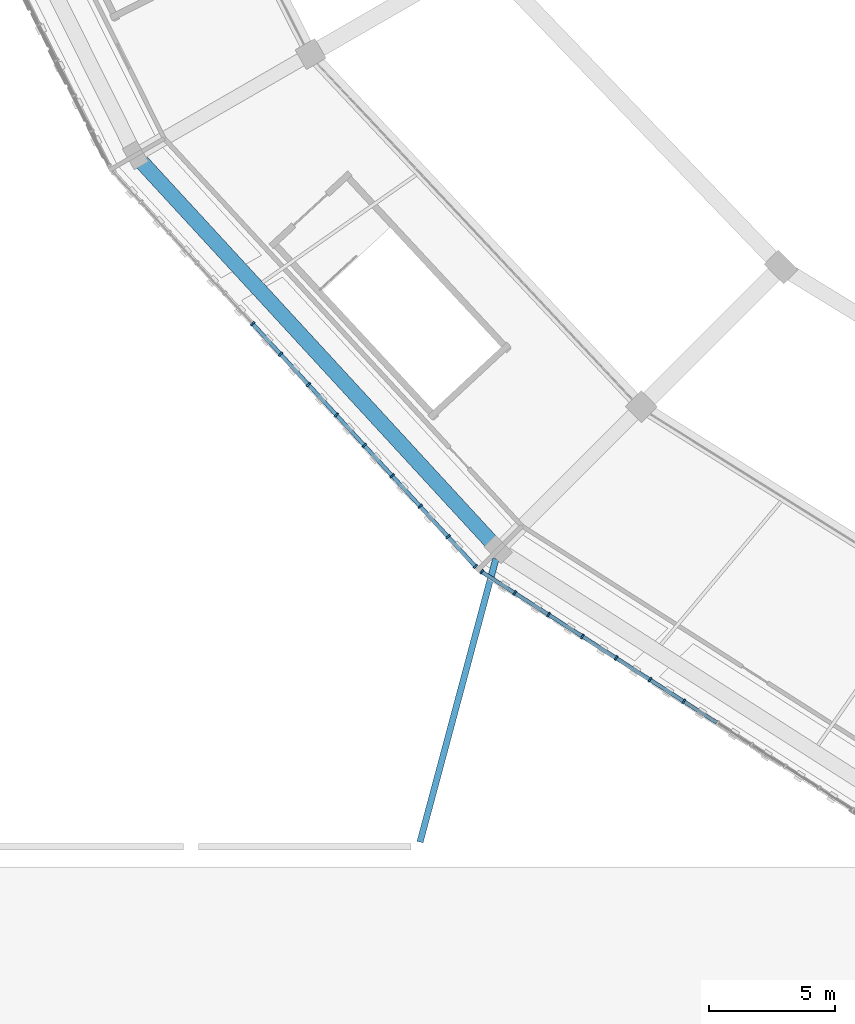
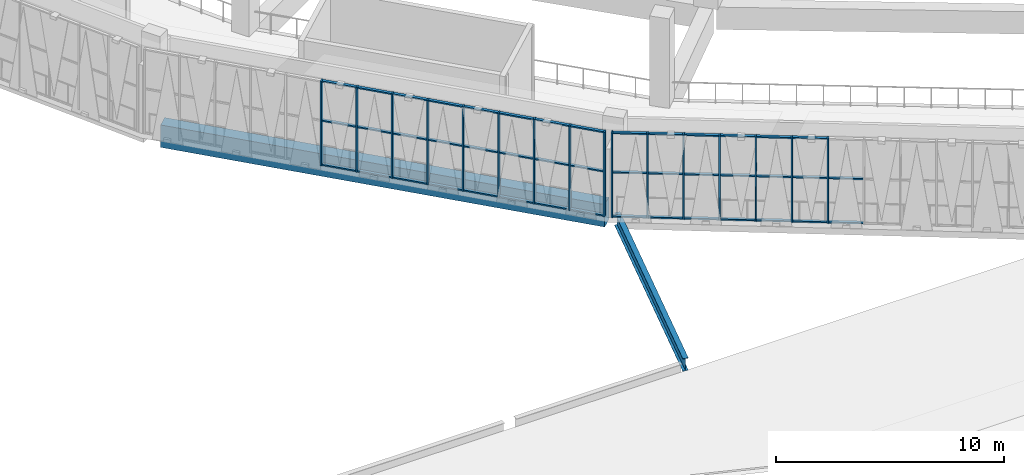
# One storey, part 4 of 108: 60 members, 2 beams, 2 elements without a shape of their own.
"""IFC4 building model written with IfcOpenShell, lengths in metres."""

from ifc_helpers import new_model, si_unit, direction, frame, origin, origin_2d, place, context, subcontext, project, spatial, rectangle, i_section, extrude, material, material_profile, profile_set, type_object, element, aggregate, save


model = new_model("IFC4")

# Units and contexts
model_context = context("Model", 3, precision=1e-05, world=origin(), true_north=direction((0.0, 1.0)))
body_context = subcontext(model_context, "Body", "Model", "MODEL_VIEW")
ifc_project = project(units=[si_unit("LENGTHUNIT", "METRE"), si_unit("AREAUNIT", "SQUARE_METRE"), si_unit("VOLUMEUNIT", "CUBIC_METRE"), si_unit("PLANEANGLEUNIT", "RADIAN"), si_unit("MASSUNIT", "GRAM", prefix="KILO")], contexts=[model_context])

# Site, building, storey
site_placement = place(None, origin())
site = spatial("IfcSite", under=ifc_project, at=site_placement, CompositionType="ELEMENT")
building_placement = place(site_placement, origin())
building = spatial("IfcBuilding", under=site, at=building_placement, Name="Zevraka Park Crest Stadium", CompositionType="ELEMENT")
storey_placement = place(building_placement, frame((0.0, 0.0, 19.800048828125)))
storey = spatial("IfcBuildingStorey", under=building, at=storey_placement, Name="L04", CompositionType="ELEMENT", Elevation=19.800048828125)

# Beam
ifc_material_1 = material(Name="Steel S355", Category="steel")
ifc_material_profile_1 = material_profile(ifc_material_1, i_section(OverallWidth=0.253662109375, OverallDepth=0.68359375, WebThickness=0.012451171875, FlangeThickness=0.01904296875, at=origin_2d()), Name="UKB 686x254x140")
ifc_profile_set_1 = profile_set([ifc_material_profile_1], Name="Steel S355")
beam_type_1 = type_object("IfcBeamType", Name="BG05", PredefinedType="BEAM", material=ifc_profile_set_1)
beam_1_placement = place(storey_placement, frame((45.052001953125, 27.193115234375, -0.60986328125), z_axis=(0.25869045552, 0.96596027259, 0.0), x_axis=(-0.96596027259, 0.25869045552, 0.0)))
element("IfcBeam", 1, at=beam_1_placement, inside=storey, type_object=beam_type_1, Name="Wing Link Girder BG05 L04-6/D", PredefinedType="BEAM", context=body_context, shape_type="SweptSolid", body=[
    extrude(i_section(OverallWidth=0.253662109375, OverallDepth=0.68359375, WebThickness=0.012451171875, FlangeThickness=0.01904296875, at=origin_2d()), origin(), (0.0, 0.0, 1.0), 11.58935546875),
])

# Curtain wall, members
ifc_material_2 = material(Name="Anodised architectural aluminium and laminated safety glass", Category="aluminium")
curtain_wall_type = type_object("IfcCurtainWallType", Name="CW18", PredefinedType="NOTDEFINED", material=ifc_material_2)
curtain_wall_1_placement = place(storey_placement, origin())
curtain_wall_1 = element("IfcCurtainWall", 2, at=curtain_wall_1_placement, inside=storey, type_object=curtain_wall_type, Name="Unitised Ring Curtain Wall CW18 L04-14", PredefinedType="NOTDEFINED")
ifc_material_3 = material(Name="Anodised architectural aluminium", Category="aluminium")
ifc_material_profile_2 = material_profile(ifc_material_3, rectangle(XDim=0.199951171875, YDim=0.070068359375, at=origin_2d()), Name="ALU MULLION 200x70")
ifc_profile_set_2 = profile_set([ifc_material_profile_2], Name="Anodised architectural aluminium")
member_type_1 = type_object("IfcMemberType", Name="CM03", PredefinedType="MULLION", material=ifc_profile_set_2)
member_1_placement = place(storey_placement, frame((38.4326171875, 47.686279296875, 0.0), z_axis=(0.0, 0.0, 1.0), x_axis=(0.736774619932, 0.676138417355, 0.0)))
member_1 = element("IfcMember", 3, at=member_1_placement, type_object=member_type_1, Name="CW18 mullion 6", PredefinedType="MULLION", context=body_context, shape_type="SweptSolid", body=[
    extrude(rectangle(XDim=0.199951171875, YDim=0.070068359375, at=origin_2d()), origin(), (0.0, 0.0, 1.0), 4.5400390625),
])
member_2_placement = place(storey_placement, frame((39.53662109375, 46.4833984375, 0.0), z_axis=(0.0, 0.0, 1.0), x_axis=(0.736774619932, 0.676138417355, 0.0)))
member_2 = element("IfcMember", 4, at=member_2_placement, type_object=member_type_1, Name="CW18 mullion 7", PredefinedType="MULLION", context=body_context, shape_type="SweptSolid", body=[
    extrude(rectangle(XDim=0.199951171875, YDim=0.070068359375, at=origin_2d()), origin(), (0.0, 0.0, 1.0), 4.5400390625),
])
member_3_placement = place(storey_placement, frame((40.640380859375, 45.280517578125, 0.0), z_axis=(0.0, 0.0, 1.0), x_axis=(0.736774619932, 0.676138417355, 0.0)))
member_3 = element("IfcMember", 5, at=member_3_placement, type_object=member_type_1, Name="CW18 mullion 8", PredefinedType="MULLION", context=body_context, shape_type="SweptSolid", body=[
    extrude(rectangle(XDim=0.199951171875, YDim=0.070068359375, at=origin_2d()), origin(), (0.0, 0.0, 1.0), 4.5400390625),
])
member_4_placement = place(storey_placement, frame((41.744384765625, 44.07763671875, 0.0), z_axis=(0.0, 0.0, 1.0), x_axis=(0.736774619932, 0.676138417355, 0.0)))
member_4 = element("IfcMember", 6, at=member_4_placement, type_object=member_type_1, Name="CW18 mullion 9", PredefinedType="MULLION", context=body_context, shape_type="SweptSolid", body=[
    extrude(rectangle(XDim=0.199951171875, YDim=0.070068359375, at=origin_2d()), origin(), (0.0, 0.0, 1.0), 4.5400390625),
])
member_5_placement = place(storey_placement, frame((42.848388671875, 42.874755859375, 0.0), z_axis=(0.0, 0.0, 1.0), x_axis=(0.736774619932, 0.676138417355, 0.0)))
member_5 = element("IfcMember", 7, at=member_5_placement, type_object=member_type_1, Name="CW18 mullion 10", PredefinedType="MULLION", context=body_context, shape_type="SweptSolid", body=[
    extrude(rectangle(XDim=0.199951171875, YDim=0.070068359375, at=origin_2d()), origin(), (0.0, 0.0, 1.0), 4.5400390625),
])
member_6_placement = place(storey_placement, frame((43.9521484375, 41.671875, 0.0), z_axis=(0.0, 0.0, 1.0), x_axis=(0.736774619932, 0.676138417355, 0.0)))
member_6 = element("IfcMember", 8, at=member_6_placement, type_object=member_type_1, Name="CW18 mullion 11", PredefinedType="MULLION", context=body_context, shape_type="SweptSolid", body=[
    extrude(rectangle(XDim=0.199951171875, YDim=0.070068359375, at=origin_2d()), origin(), (0.0, 0.0, 1.0), 4.5400390625),
])
member_7_placement = place(storey_placement, frame((45.05615234375, 40.46875, 0.0), z_axis=(0.0, 0.0, 1.0), x_axis=(0.736774619932, 0.676138417355, 0.0)))
member_7 = element("IfcMember", 9, at=member_7_placement, type_object=member_type_1, Name="CW18 mullion 12", PredefinedType="MULLION", context=body_context, shape_type="SweptSolid", body=[
    extrude(rectangle(XDim=0.199951171875, YDim=0.070068359375, at=origin_2d()), origin(), (0.0, 0.0, 1.0), 4.5400390625),
])
member_8_placement = place(storey_placement, frame((46.16015625, 39.265869140625, 0.0), z_axis=(0.0, 0.0, 1.0), x_axis=(0.736774619932, 0.676138417355, 0.0)))
member_8 = element("IfcMember", 10, at=member_8_placement, type_object=member_type_1, Name="CW18 mullion 13", PredefinedType="MULLION", context=body_context, shape_type="SweptSolid", body=[
    extrude(rectangle(XDim=0.199951171875, YDim=0.070068359375, at=origin_2d()), origin(), (0.0, 0.0, 1.0), 4.5400390625),
])
member_9_placement = place(storey_placement, frame((47.240234375, 38.0888671875, 0.0), z_axis=(0.0, 0.0, 1.0), x_axis=(0.736774619932, 0.676138417355, 0.0)))
member_9 = element("IfcMember", 11, at=member_9_placement, type_object=member_type_1, Name="CW18 mullion 14", PredefinedType="MULLION", context=body_context, shape_type="SweptSolid", body=[
    extrude(rectangle(XDim=0.199951171875, YDim=0.070068359375, at=origin_2d()), origin(), (0.0, 0.0, 1.0), 4.5400390625),
])

curtain_wall_2_placement = place(storey_placement, origin())
curtain_wall_2 = element("IfcCurtainWall", 12, at=curtain_wall_2_placement, inside=storey, type_object=curtain_wall_type, Name="Unitised Ring Curtain Wall CW18 L04-15", PredefinedType="NOTDEFINED")
member_10_placement = place(storey_placement, frame((47.490478515625, 37.879150390625, 0.0), z_axis=(0.0, 0.0, 1.0), x_axis=(0.539979944029, 0.841677883781, 0.0)))
member_10 = element("IfcMember", 13, at=member_10_placement, type_object=member_type_1, Name="CW18 mullion 1", PredefinedType="MULLION", context=body_context, shape_type="SweptSolid", body=[
    extrude(rectangle(XDim=0.199951171875, YDim=0.070068359375, at=origin_2d()), origin(), (0.0, 0.0, 1.0), 4.5400390625),
])
member_11_placement = place(storey_placement, frame((48.797607421875, 37.04052734375, 0.0), z_axis=(0.0, 0.0, 1.0), x_axis=(0.539979944029, 0.841677883781, 0.0)))
member_11 = element("IfcMember", 14, at=member_11_placement, type_object=member_type_1, Name="CW18 mullion 2", PredefinedType="MULLION", context=body_context, shape_type="SweptSolid", body=[
    extrude(rectangle(XDim=0.199951171875, YDim=0.070068359375, at=origin_2d()), origin(), (0.0, 0.0, 1.0), 4.5400390625),
])
member_12_placement = place(storey_placement, frame((50.134521484375, 36.182861328125, 0.0), z_axis=(0.0, 0.0, 1.0), x_axis=(0.539979944029, 0.841677883781, 0.0)))
member_12 = element("IfcMember", 15, at=member_12_placement, type_object=member_type_1, Name="CW18 mullion 3", PredefinedType="MULLION", context=body_context, shape_type="SweptSolid", body=[
    extrude(rectangle(XDim=0.199951171875, YDim=0.070068359375, at=origin_2d()), origin(), (0.0, 0.0, 1.0), 4.5400390625),
])
member_13_placement = place(storey_placement, frame((51.47119140625, 35.3251953125, 0.0), z_axis=(0.0, 0.0, 1.0), x_axis=(0.539979944029, 0.841677883781, 0.0)))
member_13 = element("IfcMember", 16, at=member_13_placement, type_object=member_type_1, Name="CW18 mullion 4", PredefinedType="MULLION", context=body_context, shape_type="SweptSolid", body=[
    extrude(rectangle(XDim=0.199951171875, YDim=0.070068359375, at=origin_2d()), origin(), (0.0, 0.0, 1.0), 4.5400390625),
])
member_14_placement = place(storey_placement, frame((52.807861328125, 34.4677734375, 0.0), z_axis=(0.0, 0.0, 1.0), x_axis=(0.539979944029, 0.841677883781, 0.0)))
member_14 = element("IfcMember", 17, at=member_14_placement, type_object=member_type_1, Name="CW18 mullion 5", PredefinedType="MULLION", context=body_context, shape_type="SweptSolid", body=[
    extrude(rectangle(XDim=0.199951171875, YDim=0.070068359375, at=origin_2d()), origin(), (0.0, 0.0, 1.0), 4.5400390625),
])
member_15_placement = place(storey_placement, frame((54.14453125, 33.610107421875, 0.0), z_axis=(0.0, 0.0, 1.0), x_axis=(0.539979944029, 0.841677883781, 0.0)))
member_15 = element("IfcMember", 18, at=member_15_placement, type_object=member_type_1, Name="CW18 mullion 6", PredefinedType="MULLION", context=body_context, shape_type="SweptSolid", body=[
    extrude(rectangle(XDim=0.199951171875, YDim=0.070068359375, at=origin_2d()), origin(), (0.0, 0.0, 1.0), 4.5400390625),
])
member_16_placement = place(storey_placement, frame((55.481201171875, 32.752685546875, 0.0), z_axis=(0.0, 0.0, 1.0), x_axis=(0.539979944029, 0.841677883781, 0.0)))
member_16 = element("IfcMember", 19, at=member_16_placement, type_object=member_type_1, Name="CW18 mullion 7", PredefinedType="MULLION", context=body_context, shape_type="SweptSolid", body=[
    extrude(rectangle(XDim=0.199951171875, YDim=0.070068359375, at=origin_2d()), origin(), (0.0, 0.0, 1.0), 4.5400390625),
])

# Member
ifc_material_4 = material(Name="Anodised architectural aluminium", Category="aluminium")
ifc_material_profile_3 = material_profile(ifc_material_4, rectangle(XDim=0.14990234375, YDim=0.070068359375, at=origin_2d()), Name="ALU TRANSOM 150x70")
ifc_profile_set_3 = profile_set([ifc_material_profile_3], Name="Anodised architectural aluminium")
member_type_2 = type_object("IfcMemberType", Name="CT03", PredefinedType="USERDEFINED", material=ifc_profile_set_3)
member_17_placement = place(storey_placement, frame((38.456298828125, 47.66064453125, 0.034912109375), z_axis=(0.67614898138, -0.736764925182, 0.0), x_axis=(0.736764925182, 0.67614898138, 0.0)))
member_17 = element("IfcMember", 20, at=member_17_placement, type_object=member_type_2, Name="CW18 transom 6.1", ObjectType="TRANSOM", PredefinedType="USERDEFINED", context=body_context, shape_type="SweptSolid", body=[
    extrude(rectangle(XDim=0.14990234375, YDim=0.070068359375, at=origin_2d()), origin(), (0.0, 0.0, 1.0), 1.562744140625),
])

member_18_placement = place(storey_placement, frame((38.456298828125, 47.66064453125, 2.39990234375), z_axis=(0.67614898138, -0.736764925182, 0.0), x_axis=(0.736764925182, 0.67614898138, 0.0)))
member_18 = element("IfcMember", 21, at=member_18_placement, type_object=member_type_2, Name="CW18 transom 6.2", ObjectType="TRANSOM", PredefinedType="USERDEFINED", context=body_context, shape_type="SweptSolid", body=[
    extrude(rectangle(XDim=0.14990234375, YDim=0.070068359375, at=origin_2d()), origin(), (0.0, 0.0, 1.0), 1.562744140625),
])

member_19_placement = place(storey_placement, frame((38.456298828125, 47.66064453125, 4.5048828125), z_axis=(0.67614898138, -0.736764925182, 0.0), x_axis=(0.736764925182, 0.67614898138, 0.0)))
member_19 = element("IfcMember", 22, at=member_19_placement, type_object=member_type_2, Name="CW18 transom 6.3", ObjectType="TRANSOM", PredefinedType="USERDEFINED", context=body_context, shape_type="SweptSolid", body=[
    extrude(rectangle(XDim=0.14990234375, YDim=0.070068359375, at=origin_2d()), origin(), (0.0, 0.0, 1.0), 1.562744140625),
])

member_20_placement = place(storey_placement, frame((39.560302734375, 46.457763671875, 0.034912109375), z_axis=(0.676064164587, -0.73684275484, 0.0), x_axis=(0.73684275484, 0.676064164587, 0.0)))
member_20 = element("IfcMember", 23, at=member_20_placement, type_object=member_type_2, Name="CW18 transom 7.1", ObjectType="TRANSOM", PredefinedType="USERDEFINED", context=body_context, shape_type="SweptSolid", body=[
    extrude(rectangle(XDim=0.14990234375, YDim=0.070068359375, at=origin_2d()), origin(), (0.0, 0.0, 1.0), 1.5625),
])

member_21_placement = place(storey_placement, frame((39.560302734375, 46.457763671875, 2.39990234375), z_axis=(0.676064164587, -0.73684275484, 0.0), x_axis=(0.73684275484, 0.676064164587, 0.0)))
member_21 = element("IfcMember", 24, at=member_21_placement, type_object=member_type_2, Name="CW18 transom 7.2", ObjectType="TRANSOM", PredefinedType="USERDEFINED", context=body_context, shape_type="SweptSolid", body=[
    extrude(rectangle(XDim=0.14990234375, YDim=0.070068359375, at=origin_2d()), origin(), (0.0, 0.0, 1.0), 1.5625),
])

member_22_placement = place(storey_placement, frame((39.560302734375, 46.457763671875, 4.5048828125), z_axis=(0.676064164587, -0.73684275484, 0.0), x_axis=(0.73684275484, 0.676064164587, 0.0)))
member_22 = element("IfcMember", 25, at=member_22_placement, type_object=member_type_2, Name="CW18 transom 7.3", ObjectType="TRANSOM", PredefinedType="USERDEFINED", context=body_context, shape_type="SweptSolid", body=[
    extrude(rectangle(XDim=0.14990234375, YDim=0.070068359375, at=origin_2d()), origin(), (0.0, 0.0, 1.0), 1.5625),
])

member_23_placement = place(storey_placement, frame((40.6640625, 45.254638671875, 0.034912109375), z_axis=(0.676226812884, -0.736693489544, 0.0), x_axis=(0.736693489544, 0.676226812884, 0.0)))
member_23 = element("IfcMember", 26, at=member_23_placement, type_object=member_type_2, Name="CW18 transom 8.1", ObjectType="TRANSOM", PredefinedType="USERDEFINED", context=body_context, shape_type="SweptSolid", body=[
    extrude(rectangle(XDim=0.14990234375, YDim=0.070068359375, at=origin_2d()), origin(), (0.0, 0.0, 1.0), 1.5625),
])

member_24_placement = place(storey_placement, frame((40.6640625, 45.254638671875, 2.39990234375), z_axis=(0.676226812884, -0.736693489544, 0.0), x_axis=(0.736693489544, 0.676226812884, 0.0)))
member_24 = element("IfcMember", 27, at=member_24_placement, type_object=member_type_2, Name="CW18 transom 8.2", ObjectType="TRANSOM", PredefinedType="USERDEFINED", context=body_context, shape_type="SweptSolid", body=[
    extrude(rectangle(XDim=0.14990234375, YDim=0.070068359375, at=origin_2d()), origin(), (0.0, 0.0, 1.0), 1.5625),
])

member_25_placement = place(storey_placement, frame((40.6640625, 45.254638671875, 4.5048828125), z_axis=(0.676226812884, -0.736693489544, 0.0), x_axis=(0.736693489544, 0.676226812884, 0.0)))
member_25 = element("IfcMember", 28, at=member_25_placement, type_object=member_type_2, Name="CW18 transom 8.3", ObjectType="TRANSOM", PredefinedType="USERDEFINED", context=body_context, shape_type="SweptSolid", body=[
    extrude(rectangle(XDim=0.14990234375, YDim=0.070068359375, at=origin_2d()), origin(), (0.0, 0.0, 1.0), 1.5625),
])

member_26_placement = place(storey_placement, frame((41.76806640625, 44.0517578125, 0.034912109375), z_axis=(0.67614898138, -0.736764925182, 0.0), x_axis=(0.736764925182, 0.67614898138, 0.0)))
member_26 = element("IfcMember", 29, at=member_26_placement, type_object=member_type_2, Name="CW18 transom 9.1", ObjectType="TRANSOM", PredefinedType="USERDEFINED", context=body_context, shape_type="SweptSolid", body=[
    extrude(rectangle(XDim=0.14990234375, YDim=0.070068359375, at=origin_2d()), origin(), (0.0, 0.0, 1.0), 1.562744140625),
])

member_27_placement = place(storey_placement, frame((41.76806640625, 44.0517578125, 2.39990234375), z_axis=(0.67614898138, -0.736764925182, 0.0), x_axis=(0.736764925182, 0.67614898138, 0.0)))
member_27 = element("IfcMember", 30, at=member_27_placement, type_object=member_type_2, Name="CW18 transom 9.2", ObjectType="TRANSOM", PredefinedType="USERDEFINED", context=body_context, shape_type="SweptSolid", body=[
    extrude(rectangle(XDim=0.14990234375, YDim=0.070068359375, at=origin_2d()), origin(), (0.0, 0.0, 1.0), 1.562744140625),
])

member_28_placement = place(storey_placement, frame((41.76806640625, 44.0517578125, 4.5048828125), z_axis=(0.67614898138, -0.736764925182, 0.0), x_axis=(0.736764925182, 0.67614898138, 0.0)))
member_28 = element("IfcMember", 31, at=member_28_placement, type_object=member_type_2, Name="CW18 transom 9.3", ObjectType="TRANSOM", PredefinedType="USERDEFINED", context=body_context, shape_type="SweptSolid", body=[
    extrude(rectangle(XDim=0.14990234375, YDim=0.070068359375, at=origin_2d()), origin(), (0.0, 0.0, 1.0), 1.562744140625),
])

member_29_placement = place(storey_placement, frame((42.8720703125, 42.848876953125, 0.034912109375), z_axis=(0.676064164587, -0.73684275484, 0.0), x_axis=(0.73684275484, 0.676064164587, 0.0)))
member_29 = element("IfcMember", 32, at=member_29_placement, type_object=member_type_2, Name="CW18 transom 10.1", ObjectType="TRANSOM", PredefinedType="USERDEFINED", context=body_context, shape_type="SweptSolid", body=[
    extrude(rectangle(XDim=0.14990234375, YDim=0.070068359375, at=origin_2d()), origin(), (0.0, 0.0, 1.0), 1.5625),
])

member_30_placement = place(storey_placement, frame((42.8720703125, 42.848876953125, 2.39990234375), z_axis=(0.676064164587, -0.73684275484, 0.0), x_axis=(0.73684275484, 0.676064164587, 0.0)))
member_30 = element("IfcMember", 33, at=member_30_placement, type_object=member_type_2, Name="CW18 transom 10.2", ObjectType="TRANSOM", PredefinedType="USERDEFINED", context=body_context, shape_type="SweptSolid", body=[
    extrude(rectangle(XDim=0.14990234375, YDim=0.070068359375, at=origin_2d()), origin(), (0.0, 0.0, 1.0), 1.5625),
])

member_31_placement = place(storey_placement, frame((42.8720703125, 42.848876953125, 4.5048828125), z_axis=(0.676064164587, -0.73684275484, 0.0), x_axis=(0.73684275484, 0.676064164587, 0.0)))
member_31 = element("IfcMember", 34, at=member_31_placement, type_object=member_type_2, Name="CW18 transom 10.3", ObjectType="TRANSOM", PredefinedType="USERDEFINED", context=body_context, shape_type="SweptSolid", body=[
    extrude(rectangle(XDim=0.14990234375, YDim=0.070068359375, at=origin_2d()), origin(), (0.0, 0.0, 1.0), 1.5625),
])

member_32_placement = place(storey_placement, frame((43.975830078125, 41.64599609375, 0.034912109375), z_axis=(0.67614898138, -0.736764925182, 0.0), x_axis=(0.736764925182, 0.67614898138, 0.0)))
member_32 = element("IfcMember", 35, at=member_32_placement, type_object=member_type_2, Name="CW18 transom 11.1", ObjectType="TRANSOM", PredefinedType="USERDEFINED", context=body_context, shape_type="SweptSolid", body=[
    extrude(rectangle(XDim=0.14990234375, YDim=0.070068359375, at=origin_2d()), origin(), (0.0, 0.0, 1.0), 1.562744140625),
])

member_33_placement = place(storey_placement, frame((43.975830078125, 41.64599609375, 2.39990234375), z_axis=(0.67614898138, -0.736764925182, 0.0), x_axis=(0.736764925182, 0.67614898138, 0.0)))
member_33 = element("IfcMember", 36, at=member_33_placement, type_object=member_type_2, Name="CW18 transom 11.2", ObjectType="TRANSOM", PredefinedType="USERDEFINED", context=body_context, shape_type="SweptSolid", body=[
    extrude(rectangle(XDim=0.14990234375, YDim=0.070068359375, at=origin_2d()), origin(), (0.0, 0.0, 1.0), 1.562744140625),
])

member_34_placement = place(storey_placement, frame((43.975830078125, 41.64599609375, 4.5048828125), z_axis=(0.67614898138, -0.736764925182, 0.0), x_axis=(0.736764925182, 0.67614898138, 0.0)))
member_34 = element("IfcMember", 37, at=member_34_placement, type_object=member_type_2, Name="CW18 transom 11.3", ObjectType="TRANSOM", PredefinedType="USERDEFINED", context=body_context, shape_type="SweptSolid", body=[
    extrude(rectangle(XDim=0.14990234375, YDim=0.070068359375, at=origin_2d()), origin(), (0.0, 0.0, 1.0), 1.562744140625),
])

member_35_placement = place(storey_placement, frame((45.079833984375, 40.443115234375, 0.034912109375), z_axis=(0.67614898138, -0.736764925182, 0.0), x_axis=(0.736764925182, 0.67614898138, 0.0)))
member_35 = element("IfcMember", 38, at=member_35_placement, type_object=member_type_2, Name="CW18 transom 12.1", ObjectType="TRANSOM", PredefinedType="USERDEFINED", context=body_context, shape_type="SweptSolid", body=[
    extrude(rectangle(XDim=0.14990234375, YDim=0.070068359375, at=origin_2d()), origin(), (0.0, 0.0, 1.0), 1.562744140625),
])

member_36_placement = place(storey_placement, frame((45.079833984375, 40.443115234375, 2.39990234375), z_axis=(0.67614898138, -0.736764925182, 0.0), x_axis=(0.736764925182, 0.67614898138, 0.0)))
member_36 = element("IfcMember", 39, at=member_36_placement, type_object=member_type_2, Name="CW18 transom 12.2", ObjectType="TRANSOM", PredefinedType="USERDEFINED", context=body_context, shape_type="SweptSolid", body=[
    extrude(rectangle(XDim=0.14990234375, YDim=0.070068359375, at=origin_2d()), origin(), (0.0, 0.0, 1.0), 1.562744140625),
])

member_37_placement = place(storey_placement, frame((45.079833984375, 40.443115234375, 4.5048828125), z_axis=(0.67614898138, -0.736764925182, 0.0), x_axis=(0.736764925182, 0.67614898138, 0.0)))
member_37 = element("IfcMember", 40, at=member_37_placement, type_object=member_type_2, Name="CW18 transom 12.3", ObjectType="TRANSOM", PredefinedType="USERDEFINED", context=body_context, shape_type="SweptSolid", body=[
    extrude(rectangle(XDim=0.14990234375, YDim=0.070068359375, at=origin_2d()), origin(), (0.0, 0.0, 1.0), 1.562744140625),
])

member_38_placement = place(storey_placement, frame((46.183837890625, 39.240234375, 0.034912109375), z_axis=(0.67600681387, -0.736895370864, 0.0), x_axis=(0.736895370864, 0.67600681387, 0.0)))
member_38 = element("IfcMember", 41, at=member_38_placement, type_object=member_type_2, Name="CW18 transom 13.1", ObjectType="TRANSOM", PredefinedType="USERDEFINED", context=body_context, shape_type="SweptSolid", body=[
    extrude(rectangle(XDim=0.14990234375, YDim=0.070068359375, at=origin_2d()), origin(), (0.0, 0.0, 1.0), 1.527587890625),
])

member_39_placement = place(storey_placement, frame((46.183837890625, 39.240234375, 2.39990234375), z_axis=(0.67600681387, -0.736895370864, 0.0), x_axis=(0.736895370864, 0.67600681387, 0.0)))
member_39 = element("IfcMember", 42, at=member_39_placement, type_object=member_type_2, Name="CW18 transom 13.2", ObjectType="TRANSOM", PredefinedType="USERDEFINED", context=body_context, shape_type="SweptSolid", body=[
    extrude(rectangle(XDim=0.14990234375, YDim=0.070068359375, at=origin_2d()), origin(), (0.0, 0.0, 1.0), 1.527587890625),
])

member_40_placement = place(storey_placement, frame((46.183837890625, 39.240234375, 4.5048828125), z_axis=(0.67600681387, -0.736895370864, 0.0), x_axis=(0.736895370864, 0.67600681387, 0.0)))
member_40 = element("IfcMember", 43, at=member_40_placement, type_object=member_type_2, Name="CW18 transom 13.3", ObjectType="TRANSOM", PredefinedType="USERDEFINED", context=body_context, shape_type="SweptSolid", body=[
    extrude(rectangle(XDim=0.14990234375, YDim=0.070068359375, at=origin_2d()), origin(), (0.0, 0.0, 1.0), 1.527587890625),
])

aggregate(curtain_wall_1, [member_1, member_2, member_3, member_4, member_5, member_6, member_7, member_8, member_9, member_17, member_18, member_19, member_20, member_21, member_22, member_23, member_24, member_25, member_26, member_27, member_28, member_29, member_30, member_31, member_32, member_33, member_34, member_35, member_36, member_37, member_38, member_39, member_40])

member_41_placement = place(storey_placement, frame((47.52001953125, 37.860107421875, 0.034912109375), z_axis=(0.84169690548, -0.539950293365, 0.0), x_axis=(0.539950293365, 0.84169690548, 0.0)))
member_41 = element("IfcMember", 44, at=member_41_placement, type_object=member_type_2, Name="CW18 transom 1.1", ObjectType="TRANSOM", PredefinedType="USERDEFINED", context=body_context, shape_type="SweptSolid", body=[
    extrude(rectangle(XDim=0.14990234375, YDim=0.070068359375, at=origin_2d()), origin(), (0.0, 0.0, 1.0), 1.483154296875),
])

member_42_placement = place(storey_placement, frame((47.52001953125, 37.860107421875, 2.39990234375), z_axis=(0.84169690548, -0.539950293365, 0.0), x_axis=(0.539950293365, 0.84169690548, 0.0)))
member_42 = element("IfcMember", 45, at=member_42_placement, type_object=member_type_2, Name="CW18 transom 1.2", ObjectType="TRANSOM", PredefinedType="USERDEFINED", context=body_context, shape_type="SweptSolid", body=[
    extrude(rectangle(XDim=0.14990234375, YDim=0.070068359375, at=origin_2d()), origin(), (0.0, 0.0, 1.0), 1.483154296875),
])

member_43_placement = place(storey_placement, frame((47.52001953125, 37.860107421875, 4.5048828125), z_axis=(0.84169690548, -0.539950293365, 0.0), x_axis=(0.539950293365, 0.84169690548, 0.0)))
member_43 = element("IfcMember", 46, at=member_43_placement, type_object=member_type_2, Name="CW18 transom 1.3", ObjectType="TRANSOM", PredefinedType="USERDEFINED", context=body_context, shape_type="SweptSolid", body=[
    extrude(rectangle(XDim=0.14990234375, YDim=0.070068359375, at=origin_2d()), origin(), (0.0, 0.0, 1.0), 1.483154296875),
])

member_44_placement = place(storey_placement, frame((48.8271484375, 37.021484375, 0.034912109375), z_axis=(0.841669260565, -0.539993384978, 0.0), x_axis=(0.539993384978, 0.841669260565, 0.0)))
member_44 = element("IfcMember", 47, at=member_44_placement, type_object=member_type_2, Name="CW18 transom 2.1", ObjectType="TRANSOM", PredefinedType="USERDEFINED", context=body_context, shape_type="SweptSolid", body=[
    extrude(rectangle(XDim=0.14990234375, YDim=0.070068359375, at=origin_2d()), origin(), (0.0, 0.0, 1.0), 1.518310546875),
])

member_45_placement = place(storey_placement, frame((48.8271484375, 37.021484375, 2.39990234375), z_axis=(0.841669260565, -0.539993384978, 0.0), x_axis=(0.539993384978, 0.841669260565, 0.0)))
member_45 = element("IfcMember", 48, at=member_45_placement, type_object=member_type_2, Name="CW18 transom 2.2", ObjectType="TRANSOM", PredefinedType="USERDEFINED", context=body_context, shape_type="SweptSolid", body=[
    extrude(rectangle(XDim=0.14990234375, YDim=0.070068359375, at=origin_2d()), origin(), (0.0, 0.0, 1.0), 1.518310546875),
])

member_46_placement = place(storey_placement, frame((48.8271484375, 37.021484375, 4.5048828125), z_axis=(0.841669260565, -0.539993384978, 0.0), x_axis=(0.539993384978, 0.841669260565, 0.0)))
member_46 = element("IfcMember", 49, at=member_46_placement, type_object=member_type_2, Name="CW18 transom 2.3", ObjectType="TRANSOM", PredefinedType="USERDEFINED", context=body_context, shape_type="SweptSolid", body=[
    extrude(rectangle(XDim=0.14990234375, YDim=0.070068359375, at=origin_2d()), origin(), (0.0, 0.0, 1.0), 1.518310546875),
])

member_47_placement = place(storey_placement, frame((50.163818359375, 36.1640625, 0.034912109375), z_axis=(0.841669260565, -0.539993384978, 0.0), x_axis=(0.539993384978, 0.841669260565, 0.0)))
member_47 = element("IfcMember", 50, at=member_47_placement, type_object=member_type_2, Name="CW18 transom 3.1", ObjectType="TRANSOM", PredefinedType="USERDEFINED", context=body_context, shape_type="SweptSolid", body=[
    extrude(rectangle(XDim=0.14990234375, YDim=0.070068359375, at=origin_2d()), origin(), (0.0, 0.0, 1.0), 1.518310546875),
])

member_48_placement = place(storey_placement, frame((50.163818359375, 36.1640625, 2.39990234375), z_axis=(0.841669260565, -0.539993384978, 0.0), x_axis=(0.539993384978, 0.841669260565, 0.0)))
member_48 = element("IfcMember", 51, at=member_48_placement, type_object=member_type_2, Name="CW18 transom 3.2", ObjectType="TRANSOM", PredefinedType="USERDEFINED", context=body_context, shape_type="SweptSolid", body=[
    extrude(rectangle(XDim=0.14990234375, YDim=0.070068359375, at=origin_2d()), origin(), (0.0, 0.0, 1.0), 1.518310546875),
])

member_49_placement = place(storey_placement, frame((50.163818359375, 36.1640625, 4.5048828125), z_axis=(0.841669260565, -0.539993384978, 0.0), x_axis=(0.539993384978, 0.841669260565, 0.0)))
member_49 = element("IfcMember", 52, at=member_49_placement, type_object=member_type_2, Name="CW18 transom 3.3", ObjectType="TRANSOM", PredefinedType="USERDEFINED", context=body_context, shape_type="SweptSolid", body=[
    extrude(rectangle(XDim=0.14990234375, YDim=0.070068359375, at=origin_2d()), origin(), (0.0, 0.0, 1.0), 1.518310546875),
])

member_50_placement = place(storey_placement, frame((51.50048828125, 35.306396484375, 0.034912109375), z_axis=(0.841669260565, -0.539993384978, 0.0), x_axis=(0.539993384978, 0.841669260565, 0.0)))
member_50 = element("IfcMember", 53, at=member_50_placement, type_object=member_type_2, Name="CW18 transom 4.1", ObjectType="TRANSOM", PredefinedType="USERDEFINED", context=body_context, shape_type="SweptSolid", body=[
    extrude(rectangle(XDim=0.14990234375, YDim=0.070068359375, at=origin_2d()), origin(), (0.0, 0.0, 1.0), 1.518310546875),
])

member_51_placement = place(storey_placement, frame((51.50048828125, 35.306396484375, 2.39990234375), z_axis=(0.841669260565, -0.539993384978, 0.0), x_axis=(0.539993384978, 0.841669260565, 0.0)))
member_51 = element("IfcMember", 54, at=member_51_placement, type_object=member_type_2, Name="CW18 transom 4.2", ObjectType="TRANSOM", PredefinedType="USERDEFINED", context=body_context, shape_type="SweptSolid", body=[
    extrude(rectangle(XDim=0.14990234375, YDim=0.070068359375, at=origin_2d()), origin(), (0.0, 0.0, 1.0), 1.518310546875),
])

member_52_placement = place(storey_placement, frame((51.50048828125, 35.306396484375, 4.5048828125), z_axis=(0.841669260565, -0.539993384978, 0.0), x_axis=(0.539993384978, 0.841669260565, 0.0)))
member_52 = element("IfcMember", 55, at=member_52_placement, type_object=member_type_2, Name="CW18 transom 4.3", ObjectType="TRANSOM", PredefinedType="USERDEFINED", context=body_context, shape_type="SweptSolid", body=[
    extrude(rectangle(XDim=0.14990234375, YDim=0.070068359375, at=origin_2d()), origin(), (0.0, 0.0, 1.0), 1.518310546875),
])

member_53_placement = place(storey_placement, frame((52.83740234375, 34.44873046875, 0.034912109375), z_axis=(0.841742345783, -0.539879452578, 0.0), x_axis=(0.539879452578, 0.841742345783, 0.0)))
member_53 = element("IfcMember", 56, at=member_53_placement, type_object=member_type_2, Name="CW18 transom 5.1", ObjectType="TRANSOM", PredefinedType="USERDEFINED", context=body_context, shape_type="SweptSolid", body=[
    extrude(rectangle(XDim=0.14990234375, YDim=0.070068359375, at=origin_2d()), origin(), (0.0, 0.0, 1.0), 1.51806640625),
])

member_54_placement = place(storey_placement, frame((52.83740234375, 34.44873046875, 2.39990234375), z_axis=(0.841742345783, -0.539879452578, 0.0), x_axis=(0.539879452578, 0.841742345783, 0.0)))
member_54 = element("IfcMember", 57, at=member_54_placement, type_object=member_type_2, Name="CW18 transom 5.2", ObjectType="TRANSOM", PredefinedType="USERDEFINED", context=body_context, shape_type="SweptSolid", body=[
    extrude(rectangle(XDim=0.14990234375, YDim=0.070068359375, at=origin_2d()), origin(), (0.0, 0.0, 1.0), 1.51806640625),
])

member_55_placement = place(storey_placement, frame((52.83740234375, 34.44873046875, 4.5048828125), z_axis=(0.841742345783, -0.539879452578, 0.0), x_axis=(0.539879452578, 0.841742345783, 0.0)))
member_55 = element("IfcMember", 58, at=member_55_placement, type_object=member_type_2, Name="CW18 transom 5.3", ObjectType="TRANSOM", PredefinedType="USERDEFINED", context=body_context, shape_type="SweptSolid", body=[
    extrude(rectangle(XDim=0.14990234375, YDim=0.070068359375, at=origin_2d()), origin(), (0.0, 0.0, 1.0), 1.51806640625),
])

member_56_placement = place(storey_placement, frame((54.174072265625, 33.59130859375, 0.034912109375), z_axis=(0.841669260565, -0.539993384978, 0.0), x_axis=(0.539993384978, 0.841669260565, 0.0)))
member_56 = element("IfcMember", 59, at=member_56_placement, type_object=member_type_2, Name="CW18 transom 6.1", ObjectType="TRANSOM", PredefinedType="USERDEFINED", context=body_context, shape_type="SweptSolid", body=[
    extrude(rectangle(XDim=0.14990234375, YDim=0.070068359375, at=origin_2d()), origin(), (0.0, 0.0, 1.0), 1.518310546875),
])

member_57_placement = place(storey_placement, frame((54.174072265625, 33.59130859375, 2.39990234375), z_axis=(0.841669260565, -0.539993384978, 0.0), x_axis=(0.539993384978, 0.841669260565, 0.0)))
member_57 = element("IfcMember", 60, at=member_57_placement, type_object=member_type_2, Name="CW18 transom 6.2", ObjectType="TRANSOM", PredefinedType="USERDEFINED", context=body_context, shape_type="SweptSolid", body=[
    extrude(rectangle(XDim=0.14990234375, YDim=0.070068359375, at=origin_2d()), origin(), (0.0, 0.0, 1.0), 1.518310546875),
])

member_58_placement = place(storey_placement, frame((54.174072265625, 33.59130859375, 4.5048828125), z_axis=(0.841669260565, -0.539993384978, 0.0), x_axis=(0.539993384978, 0.841669260565, 0.0)))
member_58 = element("IfcMember", 61, at=member_58_placement, type_object=member_type_2, Name="CW18 transom 6.3", ObjectType="TRANSOM", PredefinedType="USERDEFINED", context=body_context, shape_type="SweptSolid", body=[
    extrude(rectangle(XDim=0.14990234375, YDim=0.070068359375, at=origin_2d()), origin(), (0.0, 0.0, 1.0), 1.518310546875),
])

member_59_placement = place(storey_placement, frame((55.5107421875, 32.733642578125, 0.034912109375), z_axis=(0.841669260565, -0.539993384978, 0.0), x_axis=(0.539993384978, 0.841669260565, 0.0)))
member_59 = element("IfcMember", 62, at=member_59_placement, type_object=member_type_2, Name="CW18 transom 7.1", ObjectType="TRANSOM", PredefinedType="USERDEFINED", context=body_context, shape_type="SweptSolid", body=[
    extrude(rectangle(XDim=0.14990234375, YDim=0.070068359375, at=origin_2d()), origin(), (0.0, 0.0, 1.0), 1.518310546875),
])

member_60_placement = place(storey_placement, frame((55.5107421875, 32.733642578125, 2.39990234375), z_axis=(0.841669260565, -0.539993384978, 0.0), x_axis=(0.539993384978, 0.841669260565, 0.0)))
member_60 = element("IfcMember", 63, at=member_60_placement, type_object=member_type_2, Name="CW18 transom 7.2", ObjectType="TRANSOM", PredefinedType="USERDEFINED", context=body_context, shape_type="SweptSolid", body=[
    extrude(rectangle(XDim=0.14990234375, YDim=0.070068359375, at=origin_2d()), origin(), (0.0, 0.0, 1.0), 1.518310546875),
])

aggregate(curtain_wall_2, [member_10, member_11, member_12, member_13, member_14, member_15, member_16, member_41, member_42, member_43, member_44, member_45, member_46, member_47, member_48, member_49, member_50, member_51, member_52, member_53, member_54, member_55, member_56, member_57, member_58, member_59, member_60])

# Beam
ifc_material_5 = material(Name="Concrete C40/50", Category="concrete")
ifc_material_profile_4 = material_profile(ifc_material_5, rectangle(XDim=0.60009765625, YDim=1.199951171875, at=origin_2d()), Name="RC 1200x600")
ifc_profile_set_4 = profile_set([ifc_material_profile_4], Name="Concrete C40/50")
beam_type_2 = type_object("IfcBeamType", Name="RB01", PredefinedType="BEAM", material=ifc_profile_set_4)
beam_2_placement = place(storey_placement, frame((34.054931640625, 54.070068359375, -0.610107421875), z_axis=(0.677158252403, -0.735837414924, 0.0), x_axis=(0.735837414924, 0.677158252403, 0.0)))
element("IfcBeam", 64, at=beam_2_placement, inside=storey, type_object=beam_type_2, Name="Ring Beam RB01 L04-D-14", PredefinedType="BEAM", context=body_context, shape_type="SweptSolid", body=[
    extrude(rectangle(XDim=0.60009765625, YDim=1.199951171875, at=origin_2d()), origin(), (0.0, 0.0, 1.0), 20.4326171875),
])

save(model, "model.ifc")
